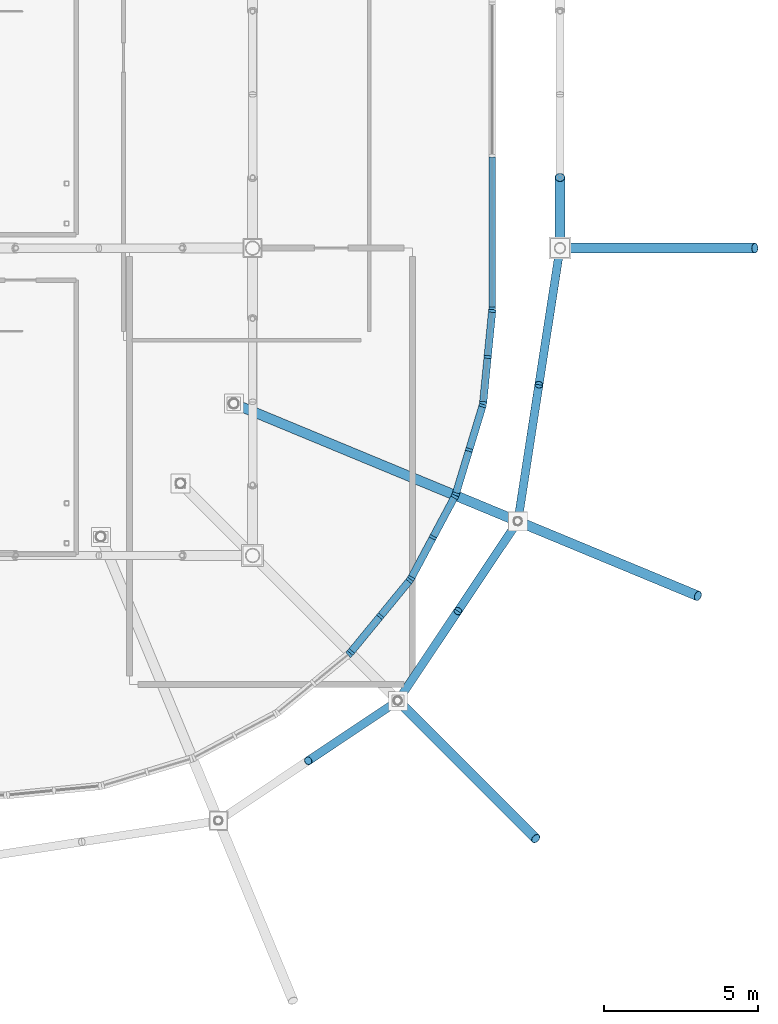
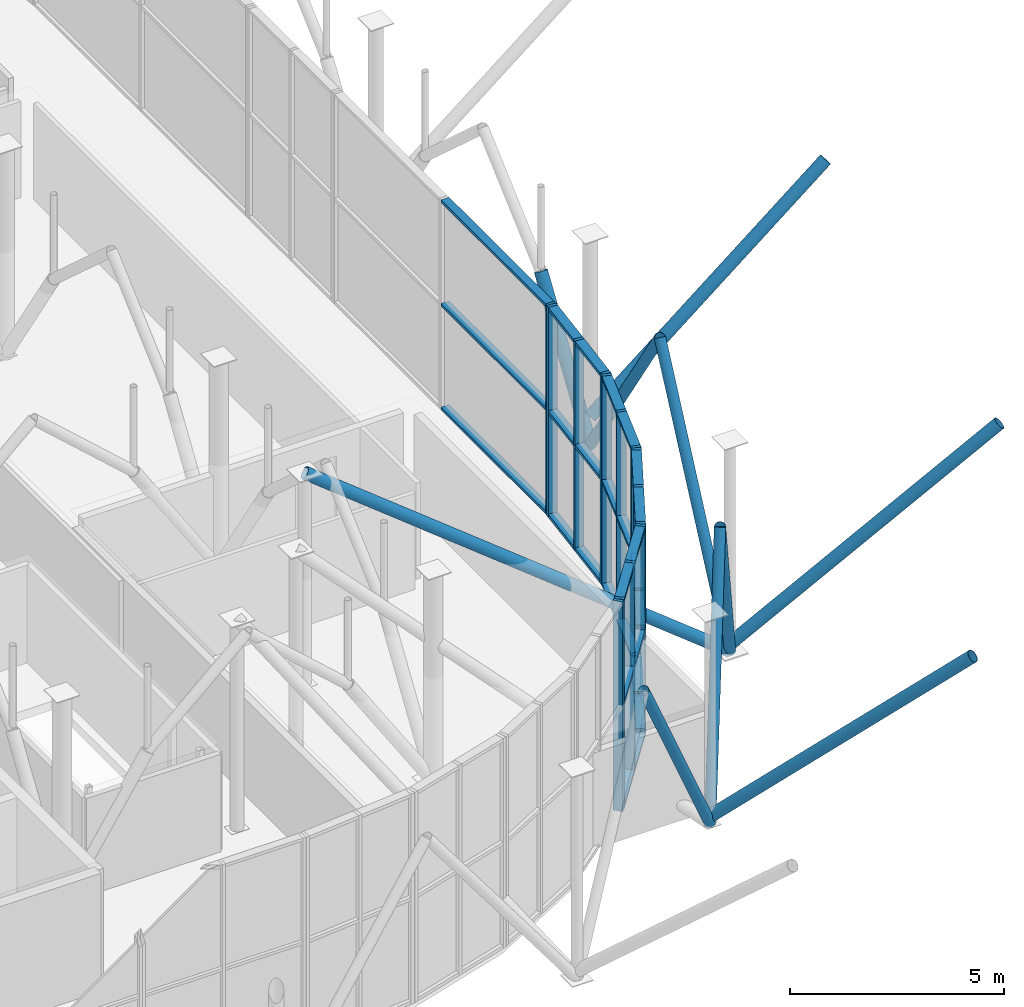
# One storey, part 69 of 109: 51 members, 6 elements without a shape of their own.
"""IFC4 building model written with IfcOpenShell, lengths in metres."""

import ifcopenshell
import ifcopenshell.guid

model = None  # the IFC model being written
_history = None  # IfcOwnerHistory: only IFC2X3 demands one
_inside = {}  # id of a spatial element -> (the spatial element, [elements in it])
_under = {}  # id of a project, library or spatial element -> (it, [spatial elements below it])
_declared = {}  # id of a project -> (the project, [libraries it declares])
_typed = {}  # id of a type object -> (the type object, [elements of that type])
_made_of = {}  # id of a material, layer set ... -> (it, [elements and type objects made of it])


def new_model(schema):
    """Start an empty IFC model of exactly this schema.

    Asked for "IFC4X3", IfcOpenShell would pick the latest addendum, in which some entities
    have other attributes; the version numbers below select the first issue.
    IFC2X3 requires an IfcOwnerHistory on every rooted entity: one is made here for all.
    """
    global model, _history
    if schema == "IFC4X3":
        model = ifcopenshell.file(schema_version=(4, 3, 0, 0))
    else:
        model = ifcopenshell.file(schema=schema)
    _inside.clear()
    _under.clear()
    _declared.clear()
    _typed.clear()
    _made_of.clear()
    _history = None
    if model.schema == "IFC2X3":
        org = make("IfcOrganization", Name="unknown")
        user = make(
            "IfcPersonAndOrganization",
            ThePerson=make("IfcPerson", FamilyName="unknown"),
            TheOrganization=org,
        )
        app = make(
            "IfcApplication",
            ApplicationDeveloper=org,
            Version="unknown",
            ApplicationFullName="unknown",
            ApplicationIdentifier="unknown",
        )
        _history = make(
            "IfcOwnerHistory",
            OwningUser=user,
            OwningApplication=app,
            ChangeAction="ADDED",
            CreationDate=0,
        )
    return model


def make(cls, **values):
    """One entity of the class cls with the attributes given. An attribute that is None is left unset."""
    return model.create_entity(
        cls, **{name: value for name, value in values.items() if value is not None}
    )


def rooted(cls, **values):
    """An entity with a GlobalId (a new one), such as an element, a storey or a relation."""
    return make(cls, GlobalId=ifcopenshell.guid.new(), OwnerHistory=_history, **values)


def si_unit(unit_type, name, prefix=None):
    """IfcSIUnit, for example si_unit("LENGTHUNIT", "METRE", prefix="MILLI")."""
    return make("IfcSIUnit", UnitType=unit_type, Prefix=prefix, Name=name)


def derived_unit(unit_type, elements):
    """IfcDerivedUnit: a product of units, each with its exponent."""
    return make(
        "IfcDerivedUnit",
        Elements=[
            make("IfcDerivedUnitElement", Unit=unit, Exponent=power)
            for unit, power in elements
        ],
        UnitType=unit_type,
    )


def assignment(units):
    """IfcUnitAssignment: the units of a project."""
    return None if units is None else make("IfcUnitAssignment", Units=units)


def point(xyz):
    """IfcCartesianPoint."""
    return None if xyz is None else make("IfcCartesianPoint", Coordinates=xyz)


def direction(xyz):
    """IfcDirection."""
    return None if xyz is None else make("IfcDirection", DirectionRatios=xyz)


def frame(location, z_axis=None, x_axis=None):
    """IfcAxis2Placement3D, a coordinate frame: its origin and axes. An axis left out is left unset."""
    return make(
        "IfcAxis2Placement3D",
        Location=point(location),
        Axis=direction(z_axis),
        RefDirection=direction(x_axis),
    )


def frame_2d(location, x_axis=None):
    """IfcAxis2Placement2D, a coordinate frame in the plane: its origin and x axis."""
    return make(
        "IfcAxis2Placement2D", Location=point(location), RefDirection=direction(x_axis)
    )


def origin():
    """The frame at (0, 0, 0) with its axes left unset."""
    return frame((0.0, 0.0, 0.0))


def origin_2d_with_axis():
    """The frame at (0, 0) in the plane with the x axis (1, 0) written out."""
    return frame_2d((0.0, 0.0), x_axis=(1.0, 0.0))


def place(relative_to, where):
    """IfcLocalPlacement: puts the frame where relative to a parent placement (None: the world)."""
    return make(
        "IfcLocalPlacement", PlacementRelTo=relative_to, RelativePlacement=where
    )


def context(
    kind, dimensions, precision=None, world=None, true_north=None, identifier=None
):
    """IfcGeometricRepresentationContext, for example the 3D "Model" context."""
    return make(
        "IfcGeometricRepresentationContext",
        ContextIdentifier=identifier,
        ContextType=kind,
        CoordinateSpaceDimension=dimensions,
        Precision=precision,
        WorldCoordinateSystem=world,
        TrueNorth=true_north,
    )


def subcontext(parent, identifier, kind, view, scale=None):
    """IfcGeometricRepresentationSubContext, for example "Body" below "Model"."""
    return make(
        "IfcGeometricRepresentationSubContext",
        ContextIdentifier=identifier,
        ContextType=kind,
        ParentContext=parent,
        TargetScale=scale,
        TargetView=view,
    )


def project(units=None, contexts=None):
    """IfcProject with its units and contexts."""
    return rooted(
        "IfcProject",
        Name="project",
        RepresentationContexts=contexts,
        UnitsInContext=assignment(units),
    )


def spatial(cls, under=None, at=None, **own):
    """A site, building, storey or space (cls), placed at a placement, below another one or the project."""
    s = rooted(cls, ObjectPlacement=at, **own)
    if under is not None:
        _under.setdefault(under.id(), (under, []))[1].append(s)
    return s


def profile(cls, at=None, kind="AREA", **sizes):
    """A parametric profile (cls). Its sizes go by their IFC names, for example OverallWidth=200.0."""
    return make(cls, ProfileType=kind, Position=at, **sizes)


def rectangle(**sizes):
    """IfcRectangleProfileDef."""
    return profile("IfcRectangleProfileDef", **sizes)


def hollow_circle(**sizes):
    """IfcCircleHollowProfileDef."""
    return profile("IfcCircleHollowProfileDef", **sizes)


def extrude(swept, where, along, depth):
    """IfcExtrudedAreaSolid: the profile swept, set in the frame where, extruded along a direction by depth."""
    return make(
        "IfcExtrudedAreaSolid",
        SweptArea=swept,
        Position=where,
        ExtrudedDirection=direction(along),
        Depth=depth,
    )


def shape(context_of_items, identifier, shape_type, items):
    """IfcShapeRepresentation: the items that make up one representation, for example the "Body"."""
    return make(
        "IfcShapeRepresentation",
        ContextOfItems=context_of_items,
        RepresentationIdentifier=identifier,
        RepresentationType=shape_type,
        Items=items,
    )


def material(Name=None, Category=None):
    """IfcMaterial."""
    return make("IfcMaterial", Name=Name, Category=Category)


def material_profile(
    of_material, cross_section, Name=None, Category=None, Priority=None
):
    """IfcMaterialProfile: a cross section and its material."""
    return make(
        "IfcMaterialProfile",
        Name=Name,
        Material=of_material,
        Profile=cross_section,
        Priority=Priority,
        Category=Category,
    )


def profile_set(profiles, Name=None, composite=None):
    """IfcMaterialProfileSet."""
    return make(
        "IfcMaterialProfileSet",
        Name=Name,
        MaterialProfiles=profiles,
        CompositeProfile=composite,
    )


def made_of(thing, what):
    """Note that an element or type object is made of a material, layer set ...; save() writes the relation."""
    if what is not None:
        _made_of.setdefault(what.id(), (what, []))[1].append(thing)
    return thing


def type_object(cls, material=None, **own):
    """A type object (cls), such as IfcWallType, which elements share."""
    return made_of(rooted(cls, **own), material)


def element(
    cls,
    number,
    at=None,
    inside=None,
    cuts=None,
    type_object=None,
    material=None,
    context=None,
    identifier="Body",
    shape_type=None,
    held_by="IfcProductDefinitionShape",
    body=None,
    shapes=None,
    **own,
):
    """One element of the class cls, such as IfcWall. Its Tag is "e" and its number.

    at: its placement. inside: the storey or other place that contains it. cuts: it is an
    opening in that element (IfcRelVoidsElement). A single representation is given by context,
    identifier, shape_type and body (its items); several are given by shapes. held_by: the class
    of the entity that holds the representations. save() writes the other relations.
    """
    e = rooted(cls, Tag="e%d" % number, ObjectPlacement=at, **own)
    if body is not None:
        shapes = [shape(context, identifier, shape_type, body)]
    if shapes is not None:
        e.Representation = make(held_by, Representations=shapes)
    if inside is not None:
        _inside.setdefault(inside.id(), (inside, []))[1].append(e)
    if cuts is not None:
        rooted(
            "IfcRelVoidsElement", RelatingBuildingElement=cuts, RelatedOpeningElement=e
        )
    if type_object is not None:
        _typed.setdefault(type_object.id(), (type_object, []))[1].append(e)
    return made_of(e, material)


def aggregate(whole, parts):
    """IfcRelAggregates: a whole, such as a stair, and the parts it consists of."""
    return rooted("IfcRelAggregates", RelatingObject=whole, RelatedObjects=parts)


def save(model, path):
    """Write the relations noted so far, then the file.

    IfcRelAggregates (storeys below a building ...), IfcRelContainedInSpatialStructure (elements
    in a storey), IfcRelDefinesByType, IfcRelAssociatesMaterial and IfcRelDeclares: one each for
    every whole, place, type object, material and project.
    """
    for whole, parts in _under.values():
        aggregate(whole, parts)
    for where, things in _inside.values():
        rooted(
            "IfcRelContainedInSpatialStructure",
            RelatedElements=things,
            RelatingStructure=where,
        )
    for kind, things in _typed.values():
        rooted("IfcRelDefinesByType", RelatedObjects=things, RelatingType=kind)
    for what, things in _made_of.values():
        rooted("IfcRelAssociatesMaterial", RelatedObjects=things, RelatingMaterial=what)
    for by, libraries in _declared.values():
        rooted("IfcRelDeclares", RelatingContext=by, RelatedDefinitions=libraries)
    model.write(path)


model = new_model("IFC4")

# Units and contexts
model_context = context("Model", 3, precision=1e-05, world=origin(), true_north=direction((0.0, 1.0)))
body_context = subcontext(model_context, "Body", "Model", "MODEL_VIEW")
ifc_project = project(units=[si_unit("LENGTHUNIT", "METRE"), si_unit("AREAUNIT", "SQUARE_METRE"), si_unit("VOLUMEUNIT", "CUBIC_METRE"), si_unit("PLANEANGLEUNIT", "RADIAN"), si_unit("MASSUNIT", "GRAM", prefix="KILO"), derived_unit("THERMALTRANSMITTANCEUNIT", [(si_unit("POWERUNIT", "WATT"), 1), (si_unit("LENGTHUNIT", "METRE"), -2), (si_unit("THERMODYNAMICTEMPERATUREUNIT", "KELVIN"), -1)])], contexts=[model_context])

# Site, building, storey
site_placement = place(None, origin())
site = spatial("IfcSite", under=ifc_project, at=site_placement, CompositionType="ELEMENT")
building_placement = place(site_placement, origin())
building = spatial("IfcBuilding", under=site, at=building_placement, Name="Cinnabar Yard Market Hall", CompositionType="ELEMENT")
storey_placement = place(building_placement, frame((0.0, 0.0, 8.39990234375)))
storey = spatial("IfcBuildingStorey", under=building, at=storey_placement, Name="L02", CompositionType="ELEMENT", Elevation=8.39990234375)

# Curtain wall, member
ifc_material_1 = material(Name="Anodised bronze aluminium curved-chord facade", Category="aluminium")
curtain_wall_type_1 = type_object("IfcCurtainWallType", Name="CW-CWC031x60", PredefinedType="NOTDEFINED", material=ifc_material_1)
curtain_wall_1_placement = place(storey_placement, origin())
curtain_wall_1 = element("IfcCurtainWall", 1, at=curtain_wall_1_placement, inside=storey, type_object=curtain_wall_type_1, Name="Corner SE Chord 4 L02", PredefinedType="NOTDEFINED")
ifc_material_2 = material(Name="Anodised bronze aluminium", Category="aluminium")
ifc_material_profile_1 = material_profile(ifc_material_2, rectangle(XDim=0.239990234375, YDim=0.090087890625, at=origin_2d_with_axis()), Name="MUL-CWC")
ifc_profile_set_1 = profile_set([ifc_material_profile_1], Name="Anodised bronze aluminium")
member_type_1 = type_object("IfcMemberType", Name="CWM-CWC", PredefinedType="MULLION", material=ifc_profile_set_1)
member_1_placement = place(storey_placement, frame((159.137451171875, 20.799072265625, 0.0), z_axis=(0.0, 0.0, 1.0), x_axis=(-0.634383400924, 0.773018564222, 0.0)))
member_1 = element("IfcMember", 2, at=member_1_placement, type_object=member_type_1, Name="CWC031x60 mullion 3", PredefinedType="MULLION", context=body_context, shape_type="SweptSolid", body=[
    extrude(rectangle(XDim=0.239990234375, YDim=0.090087890625, at=origin_2d_with_axis()), origin(), (0.0, 0.0, 1.0), 5.97998046875),
])
aggregate(curtain_wall_1, [member_1])

# Curtain wall, members
curtain_wall_2_placement = place(storey_placement, origin())
curtain_wall_2 = element("IfcCurtainWall", 3, at=curtain_wall_2_placement, inside=storey, type_object=curtain_wall_type_1, Name="Corner SE Chord 5 L02", PredefinedType="NOTDEFINED")
member_2_placement = place(storey_placement, frame((159.200927734375, 20.862548828125, 0.0), z_axis=(0.0, 0.0, 1.0), x_axis=(-0.773018564222, 0.634383400924, 0.0)))
member_2 = element("IfcMember", 4, at=member_2_placement, type_object=member_type_1, Name="CWC031x60 mullion 1", PredefinedType="MULLION", context=body_context, shape_type="SweptSolid", body=[
    extrude(rectangle(XDim=0.239990234375, YDim=0.090087890625, at=origin_2d_with_axis()), origin(), (0.0, 0.0, 1.0), 5.97998046875),
])
member_3_placement = place(storey_placement, frame((160.15478515625, 22.02490234375, 0.0), z_axis=(0.0, 0.0, 1.0), x_axis=(-0.773018564222, 0.634383400924, 0.0)))
member_3 = element("IfcMember", 5, at=member_3_placement, type_object=member_type_1, Name="CWC031x60 mullion 2", PredefinedType="MULLION", context=body_context, shape_type="SweptSolid", body=[
    extrude(rectangle(XDim=0.239990234375, YDim=0.090087890625, at=origin_2d_with_axis()), origin(), (0.0, 0.0, 1.0), 5.97998046875),
])
member_4_placement = place(storey_placement, frame((161.108642578125, 23.187255859375, 0.0), z_axis=(0.0, 0.0, 1.0), x_axis=(-0.773018564222, 0.634383400924, 0.0)))
member_4 = element("IfcMember", 6, at=member_4_placement, type_object=member_type_1, Name="CWC031x60 mullion 3", PredefinedType="MULLION", context=body_context, shape_type="SweptSolid", body=[
    extrude(rectangle(XDim=0.239990234375, YDim=0.090087890625, at=origin_2d_with_axis()), origin(), (0.0, 0.0, 1.0), 5.97998046875),
])

curtain_wall_3_placement = place(storey_placement, origin())
curtain_wall_3 = element("IfcCurtainWall", 7, at=curtain_wall_3_placement, inside=storey, type_object=curtain_wall_type_1, Name="Corner SE Chord 6 L02", PredefinedType="NOTDEFINED")
member_5_placement = place(storey_placement, frame((161.158447265625, 23.26171875, 0.0), z_axis=(0.0, 0.0, 1.0), x_axis=(-0.881917320707, 0.471404114786, 0.0)))
member_5 = element("IfcMember", 8, at=member_5_placement, type_object=member_type_1, Name="CWC031x60 mullion 1", PredefinedType="MULLION", context=body_context, shape_type="SweptSolid", body=[
    extrude(rectangle(XDim=0.239990234375, YDim=0.090087890625, at=origin_2d_with_axis()), origin(), (0.0, 0.0, 1.0), 5.97998046875),
])
member_6_placement = place(storey_placement, frame((161.8671875, 24.587890625, 0.0), z_axis=(0.0, 0.0, 1.0), x_axis=(-0.881917320707, 0.471404114786, 0.0)))
member_6 = element("IfcMember", 9, at=member_6_placement, type_object=member_type_1, Name="CWC031x60 mullion 2", PredefinedType="MULLION", context=body_context, shape_type="SweptSolid", body=[
    extrude(rectangle(XDim=0.239990234375, YDim=0.090087890625, at=origin_2d_with_axis()), origin(), (0.0, 0.0, 1.0), 5.97998046875),
])
member_7_placement = place(storey_placement, frame((162.576171875, 25.913818359375, 0.0), z_axis=(0.0, 0.0, 1.0), x_axis=(-0.881917320707, 0.471404114786, 0.0)))
member_7 = element("IfcMember", 10, at=member_7_placement, type_object=member_type_1, Name="CWC031x60 mullion 3", PredefinedType="MULLION", context=body_context, shape_type="SweptSolid", body=[
    extrude(rectangle(XDim=0.239990234375, YDim=0.090087890625, at=origin_2d_with_axis()), origin(), (0.0, 0.0, 1.0), 5.97998046875),
])

curtain_wall_4_placement = place(storey_placement, origin())
curtain_wall_4 = element("IfcCurtainWall", 11, at=curtain_wall_4_placement, inside=storey, type_object=curtain_wall_type_1, Name="Corner SE Chord 7 L02", PredefinedType="NOTDEFINED")
member_8_placement = place(storey_placement, frame((162.6103515625, 25.99658203125, 0.0), z_axis=(0.0, 0.0, 1.0), x_axis=(-0.956942090856, 0.290278891325, 0.0)))
member_8 = element("IfcMember", 12, at=member_8_placement, type_object=member_type_1, Name="CWC031x60 mullion 1", PredefinedType="MULLION", context=body_context, shape_type="SweptSolid", body=[
    extrude(rectangle(XDim=0.239990234375, YDim=0.090087890625, at=origin_2d_with_axis()), origin(), (0.0, 0.0, 1.0), 5.97998046875),
])
member_9_placement = place(storey_placement, frame((163.046875, 27.435546875, 0.0), z_axis=(0.0, 0.0, 1.0), x_axis=(-0.956942090856, 0.290278891325, 0.0)))
member_9 = element("IfcMember", 13, at=member_9_placement, type_object=member_type_1, Name="CWC031x60 mullion 2", PredefinedType="MULLION", context=body_context, shape_type="SweptSolid", body=[
    extrude(rectangle(XDim=0.239990234375, YDim=0.090087890625, at=origin_2d_with_axis()), origin(), (0.0, 0.0, 1.0), 5.97998046875),
])
member_10_placement = place(storey_placement, frame((163.4833984375, 28.87451171875, 0.0), z_axis=(0.0, 0.0, 1.0), x_axis=(-0.956942090856, 0.290278891325, 0.0)))
member_10 = element("IfcMember", 14, at=member_10_placement, type_object=member_type_1, Name="CWC031x60 mullion 3", PredefinedType="MULLION", context=body_context, shape_type="SweptSolid", body=[
    extrude(rectangle(XDim=0.239990234375, YDim=0.090087890625, at=origin_2d_with_axis()), origin(), (0.0, 0.0, 1.0), 5.97998046875),
])

curtain_wall_5_placement = place(storey_placement, origin())
curtain_wall_5 = element("IfcCurtainWall", 15, at=curtain_wall_5_placement, inside=storey, type_object=curtain_wall_type_1, Name="Corner SE Chord 8 L02", PredefinedType="NOTDEFINED")
member_11_placement = place(storey_placement, frame((163.500732421875, 28.96240234375, 0.0), z_axis=(0.0, 0.0, 1.0), x_axis=(-0.995184408637, 0.098020369342, 0.0)))
member_11 = element("IfcMember", 16, at=member_11_placement, type_object=member_type_1, Name="CWC031x60 mullion 1", PredefinedType="MULLION", context=body_context, shape_type="SweptSolid", body=[
    extrude(rectangle(XDim=0.239990234375, YDim=0.090087890625, at=origin_2d_with_axis()), origin(), (0.0, 0.0, 1.0), 5.97998046875),
])
member_12_placement = place(storey_placement, frame((163.648193359375, 30.458740234375, 0.0), z_axis=(0.0, 0.0, 1.0), x_axis=(-0.995184408637, 0.098020369342, 0.0)))
member_12 = element("IfcMember", 17, at=member_12_placement, type_object=member_type_1, Name="CWC031x60 mullion 2", PredefinedType="MULLION", context=body_context, shape_type="SweptSolid", body=[
    extrude(rectangle(XDim=0.239990234375, YDim=0.090087890625, at=origin_2d_with_axis()), origin(), (0.0, 0.0, 1.0), 5.97998046875),
])
member_13_placement = place(storey_placement, frame((163.795654296875, 31.955322265625, 0.0), z_axis=(0.0, 0.0, 1.0), x_axis=(-0.995184408637, 0.098020369342, 0.0)))
member_13 = element("IfcMember", 18, at=member_13_placement, type_object=member_type_1, Name="CWC031x60 mullion 3", PredefinedType="MULLION", context=body_context, shape_type="SweptSolid", body=[
    extrude(rectangle(XDim=0.239990234375, YDim=0.090087890625, at=origin_2d_with_axis()), origin(), (0.0, 0.0, 1.0), 5.97998046875),
])

# Curtain wall, member
ifc_material_3 = material(Name="Anodised bronze aluminium and low-E glass", Category="aluminium")
curtain_wall_type_2 = type_object("IfcCurtainWallType", Name="CW-CWH100x60", PredefinedType="NOTDEFINED", material=ifc_material_3)
curtain_wall_6_placement = place(storey_placement, origin())
curtain_wall_6 = element("IfcCurtainWall", 19, at=curtain_wall_6_placement, inside=storey, type_object=curtain_wall_type_2, Name="Market Hall East Upper Clerestory W1", PredefinedType="NOTDEFINED")
ifc_material_profile_2 = material_profile(ifc_material_2, rectangle(XDim=0.219970703125, YDim=0.080078125, at=origin_2d_with_axis()), Name="MUL-CWH")
ifc_profile_set_2 = profile_set([ifc_material_profile_2], Name="Anodised bronze aluminium")
member_type_2 = type_object("IfcMemberType", Name="CWM-CWH", PredefinedType="MULLION", material=ifc_profile_set_2)
member_14_placement = place(storey_placement, frame((163.800048828125, 32.0400390625, 0.0), z_axis=(0.0, 0.0, 1.0), x_axis=(-1.0, 0.0, 0.0)))
member_14 = element("IfcMember", 20, at=member_14_placement, type_object=member_type_2, Name="CWH100x60 mullion 1", PredefinedType="MULLION", context=body_context, shape_type="SweptSolid", body=[
    extrude(rectangle(XDim=0.219970703125, YDim=0.080078125, at=origin_2d_with_axis()), origin(), (0.0, 0.0, 1.0), 5.97998046875),
])

# Member
ifc_material_profile_3 = material_profile(ifc_material_2, rectangle(XDim=0.239990234375, YDim=0.090087890625, at=origin_2d_with_axis()), Name="TRN-CWC")
ifc_profile_set_3 = profile_set([ifc_material_profile_3], Name="Anodised bronze aluminium")
member_type_3 = type_object("IfcMemberType", Name="CWT-CWC", PredefinedType="USERDEFINED", material=ifc_profile_set_3)
member_15_placement = place(storey_placement, frame((159.2294921875, 20.897216796875, 0.045166015625), z_axis=(0.634356309919, 0.773040795861, 0.0), x_axis=(-0.773040795861, 0.634356309919, 0.0)))
member_15 = element("IfcMember", 21, at=member_15_placement, type_object=member_type_3, Name="CWC031x60 transom 1.1", ObjectType="TRANSOM", PredefinedType="USERDEFINED", context=body_context, shape_type="SweptSolid", body=[
    extrude(rectangle(XDim=0.239990234375, YDim=0.090087890625, at=origin_2d_with_axis()), origin(), (0.0, 0.0, 1.0), 1.41357421875),
])

member_16_placement = place(storey_placement, frame((159.2294921875, 20.897216796875, 2.989990234375), z_axis=(0.634356309919, 0.773040795861, 0.0), x_axis=(-0.773040795861, 0.634356309919, 0.0)))
member_16 = element("IfcMember", 22, at=member_16_placement, type_object=member_type_3, Name="CWC031x60 transom 1.2", ObjectType="TRANSOM", PredefinedType="USERDEFINED", context=body_context, shape_type="SweptSolid", body=[
    extrude(rectangle(XDim=0.239990234375, YDim=0.090087890625, at=origin_2d_with_axis()), origin(), (0.0, 0.0, 1.0), 1.41357421875),
])

member_17_placement = place(storey_placement, frame((159.2294921875, 20.897216796875, 5.93505859375), z_axis=(0.634356309919, 0.773040795861, 0.0), x_axis=(-0.773040795861, 0.634356309919, 0.0)))
member_17 = element("IfcMember", 23, at=member_17_placement, type_object=member_type_3, Name="CWC031x60 transom 1.3", ObjectType="TRANSOM", PredefinedType="USERDEFINED", context=body_context, shape_type="SweptSolid", body=[
    extrude(rectangle(XDim=0.239990234375, YDim=0.090087890625, at=origin_2d_with_axis()), origin(), (0.0, 0.0, 1.0), 1.41357421875),
])

member_18_placement = place(storey_placement, frame((160.183349609375, 22.0595703125, 0.045166015625), z_axis=(0.634356309919, 0.773040795861, 0.0), x_axis=(-0.773040795861, 0.634356309919, 0.0)))
member_18 = element("IfcMember", 24, at=member_18_placement, type_object=member_type_3, Name="CWC031x60 transom 2.1", ObjectType="TRANSOM", PredefinedType="USERDEFINED", context=body_context, shape_type="SweptSolid", body=[
    extrude(rectangle(XDim=0.239990234375, YDim=0.090087890625, at=origin_2d_with_axis()), origin(), (0.0, 0.0, 1.0), 1.41357421875),
])

member_19_placement = place(storey_placement, frame((160.183349609375, 22.0595703125, 2.989990234375), z_axis=(0.634356309919, 0.773040795861, 0.0), x_axis=(-0.773040795861, 0.634356309919, 0.0)))
member_19 = element("IfcMember", 25, at=member_19_placement, type_object=member_type_3, Name="CWC031x60 transom 2.2", ObjectType="TRANSOM", PredefinedType="USERDEFINED", context=body_context, shape_type="SweptSolid", body=[
    extrude(rectangle(XDim=0.239990234375, YDim=0.090087890625, at=origin_2d_with_axis()), origin(), (0.0, 0.0, 1.0), 1.41357421875),
])

member_20_placement = place(storey_placement, frame((160.183349609375, 22.0595703125, 5.93505859375), z_axis=(0.634356309919, 0.773040795861, 0.0), x_axis=(-0.773040795861, 0.634356309919, 0.0)))
member_20 = element("IfcMember", 26, at=member_20_placement, type_object=member_type_3, Name="CWC031x60 transom 2.3", ObjectType="TRANSOM", PredefinedType="USERDEFINED", context=body_context, shape_type="SweptSolid", body=[
    extrude(rectangle(XDim=0.239990234375, YDim=0.090087890625, at=origin_2d_with_axis()), origin(), (0.0, 0.0, 1.0), 1.41357421875),
])

aggregate(curtain_wall_2, [member_2, member_3, member_4, member_15, member_16, member_17, member_18, member_19, member_20])

member_21_placement = place(storey_placement, frame((161.1796875, 23.30126953125, 0.045166015625), z_axis=(0.471296210365, 0.881974989496, 0.0), x_axis=(-0.881974989496, 0.471296210365, 0.0)))
member_21 = element("IfcMember", 27, at=member_21_placement, type_object=member_type_3, Name="CWC031x60 transom 1.1", ObjectType="TRANSOM", PredefinedType="USERDEFINED", context=body_context, shape_type="SweptSolid", body=[
    extrude(rectangle(XDim=0.239990234375, YDim=0.090087890625, at=origin_2d_with_axis()), origin(), (0.0, 0.0, 1.0), 1.41357421875),
])

member_22_placement = place(storey_placement, frame((161.1796875, 23.30126953125, 2.989990234375), z_axis=(0.471296210365, 0.881974989496, 0.0), x_axis=(-0.881974989496, 0.471296210365, 0.0)))
member_22 = element("IfcMember", 28, at=member_22_placement, type_object=member_type_3, Name="CWC031x60 transom 1.2", ObjectType="TRANSOM", PredefinedType="USERDEFINED", context=body_context, shape_type="SweptSolid", body=[
    extrude(rectangle(XDim=0.239990234375, YDim=0.090087890625, at=origin_2d_with_axis()), origin(), (0.0, 0.0, 1.0), 1.41357421875),
])

member_23_placement = place(storey_placement, frame((161.1796875, 23.30126953125, 5.93505859375), z_axis=(0.471296210365, 0.881974989496, 0.0), x_axis=(-0.881974989496, 0.471296210365, 0.0)))
member_23 = element("IfcMember", 29, at=member_23_placement, type_object=member_type_3, Name="CWC031x60 transom 1.3", ObjectType="TRANSOM", PredefinedType="USERDEFINED", context=body_context, shape_type="SweptSolid", body=[
    extrude(rectangle(XDim=0.239990234375, YDim=0.090087890625, at=origin_2d_with_axis()), origin(), (0.0, 0.0, 1.0), 1.41357421875),
])

member_24_placement = place(storey_placement, frame((161.888427734375, 24.62744140625, 0.045166015625), z_axis=(0.471430533224, 0.881903198965, 0.0), x_axis=(-0.881903198965, 0.471430533224, 0.0)))
member_24 = element("IfcMember", 30, at=member_24_placement, type_object=member_type_3, Name="CWC031x60 transom 2.1", ObjectType="TRANSOM", PredefinedType="USERDEFINED", context=body_context, shape_type="SweptSolid", body=[
    extrude(rectangle(XDim=0.239990234375, YDim=0.090087890625, at=origin_2d_with_axis()), origin(), (0.0, 0.0, 1.0), 1.413818359375),
])

member_25_placement = place(storey_placement, frame((161.888427734375, 24.62744140625, 2.989990234375), z_axis=(0.471430533224, 0.881903198965, 0.0), x_axis=(-0.881903198965, 0.471430533224, 0.0)))
member_25 = element("IfcMember", 31, at=member_25_placement, type_object=member_type_3, Name="CWC031x60 transom 2.2", ObjectType="TRANSOM", PredefinedType="USERDEFINED", context=body_context, shape_type="SweptSolid", body=[
    extrude(rectangle(XDim=0.239990234375, YDim=0.090087890625, at=origin_2d_with_axis()), origin(), (0.0, 0.0, 1.0), 1.413818359375),
])

member_26_placement = place(storey_placement, frame((161.888427734375, 24.62744140625, 5.93505859375), z_axis=(0.471430533224, 0.881903198965, 0.0), x_axis=(-0.881903198965, 0.471430533224, 0.0)))
member_26 = element("IfcMember", 32, at=member_26_placement, type_object=member_type_3, Name="CWC031x60 transom 2.3", ObjectType="TRANSOM", PredefinedType="USERDEFINED", context=body_context, shape_type="SweptSolid", body=[
    extrude(rectangle(XDim=0.239990234375, YDim=0.090087890625, at=origin_2d_with_axis()), origin(), (0.0, 0.0, 1.0), 1.413818359375),
])

aggregate(curtain_wall_3, [member_5, member_6, member_7, member_21, member_22, member_23, member_24, member_25, member_26])

member_27_placement = place(storey_placement, frame((162.62353515625, 26.039794921875, 0.045166015625), z_axis=(0.290151195166, 0.956980816915, 0.0), x_axis=(-0.956980816915, 0.290151195166, 0.0)))
member_27 = element("IfcMember", 33, at=member_27_placement, type_object=member_type_3, Name="CWC031x60 transom 1.1", ObjectType="TRANSOM", PredefinedType="USERDEFINED", context=body_context, shape_type="SweptSolid", body=[
    extrude(rectangle(XDim=0.239990234375, YDim=0.090087890625, at=origin_2d_with_axis()), origin(), (0.0, 0.0, 1.0), 1.41357421875),
])

member_28_placement = place(storey_placement, frame((162.62353515625, 26.039794921875, 2.989990234375), z_axis=(0.290151195166, 0.956980816915, 0.0), x_axis=(-0.956980816915, 0.290151195166, 0.0)))
member_28 = element("IfcMember", 34, at=member_28_placement, type_object=member_type_3, Name="CWC031x60 transom 1.2", ObjectType="TRANSOM", PredefinedType="USERDEFINED", context=body_context, shape_type="SweptSolid", body=[
    extrude(rectangle(XDim=0.239990234375, YDim=0.090087890625, at=origin_2d_with_axis()), origin(), (0.0, 0.0, 1.0), 1.41357421875),
])

member_29_placement = place(storey_placement, frame((162.62353515625, 26.039794921875, 5.93505859375), z_axis=(0.290151195166, 0.956980816915, 0.0), x_axis=(-0.956980816915, 0.290151195166, 0.0)))
member_29 = element("IfcMember", 35, at=member_29_placement, type_object=member_type_3, Name="CWC031x60 transom 1.3", ObjectType="TRANSOM", PredefinedType="USERDEFINED", context=body_context, shape_type="SweptSolid", body=[
    extrude(rectangle(XDim=0.239990234375, YDim=0.090087890625, at=origin_2d_with_axis()), origin(), (0.0, 0.0, 1.0), 1.41357421875),
])

member_30_placement = place(storey_placement, frame((163.059814453125, 27.478759765625, 0.045166015625), z_axis=(0.290309352341, 0.956932850279, 0.0), x_axis=(-0.956932850279, 0.290309352341, 0.0)))
member_30 = element("IfcMember", 36, at=member_30_placement, type_object=member_type_3, Name="CWC031x60 transom 2.1", ObjectType="TRANSOM", PredefinedType="USERDEFINED", context=body_context, shape_type="SweptSolid", body=[
    extrude(rectangle(XDim=0.239990234375, YDim=0.090087890625, at=origin_2d_with_axis()), origin(), (0.0, 0.0, 1.0), 1.41357421875),
])

member_31_placement = place(storey_placement, frame((163.059814453125, 27.478759765625, 2.989990234375), z_axis=(0.290309352341, 0.956932850279, 0.0), x_axis=(-0.956932850279, 0.290309352341, 0.0)))
member_31 = element("IfcMember", 37, at=member_31_placement, type_object=member_type_3, Name="CWC031x60 transom 2.2", ObjectType="TRANSOM", PredefinedType="USERDEFINED", context=body_context, shape_type="SweptSolid", body=[
    extrude(rectangle(XDim=0.239990234375, YDim=0.090087890625, at=origin_2d_with_axis()), origin(), (0.0, 0.0, 1.0), 1.41357421875),
])

member_32_placement = place(storey_placement, frame((163.059814453125, 27.478759765625, 5.93505859375), z_axis=(0.290309352341, 0.956932850279, 0.0), x_axis=(-0.956932850279, 0.290309352341, 0.0)))
member_32 = element("IfcMember", 38, at=member_32_placement, type_object=member_type_3, Name="CWC031x60 transom 2.3", ObjectType="TRANSOM", PredefinedType="USERDEFINED", context=body_context, shape_type="SweptSolid", body=[
    extrude(rectangle(XDim=0.239990234375, YDim=0.090087890625, at=origin_2d_with_axis()), origin(), (0.0, 0.0, 1.0), 1.41357421875),
])

aggregate(curtain_wall_4, [member_8, member_9, member_10, member_27, member_28, member_29, member_30, member_31, member_32])

member_33_placement = place(storey_placement, frame((163.505126953125, 29.007080078125, 0.045166015625), z_axis=(0.098084531214, 0.995178086946, 0.0), x_axis=(-0.995178086946, 0.098084531214, 0.0)))
member_33 = element("IfcMember", 39, at=member_33_placement, type_object=member_type_3, Name="CWC031x60 transom 1.1", ObjectType="TRANSOM", PredefinedType="USERDEFINED", context=body_context, shape_type="SweptSolid", body=[
    extrude(rectangle(XDim=0.239990234375, YDim=0.090087890625, at=origin_2d_with_axis()), origin(), (0.0, 0.0, 1.0), 1.413818359375),
])

member_34_placement = place(storey_placement, frame((163.505126953125, 29.007080078125, 2.989990234375), z_axis=(0.098084531214, 0.995178086946, 0.0), x_axis=(-0.995178086946, 0.098084531214, 0.0)))
member_34 = element("IfcMember", 40, at=member_34_placement, type_object=member_type_3, Name="CWC031x60 transom 1.2", ObjectType="TRANSOM", PredefinedType="USERDEFINED", context=body_context, shape_type="SweptSolid", body=[
    extrude(rectangle(XDim=0.239990234375, YDim=0.090087890625, at=origin_2d_with_axis()), origin(), (0.0, 0.0, 1.0), 1.413818359375),
])

member_35_placement = place(storey_placement, frame((163.505126953125, 29.007080078125, 5.93505859375), z_axis=(0.098084531214, 0.995178086946, 0.0), x_axis=(-0.995178086946, 0.098084531214, 0.0)))
member_35 = element("IfcMember", 41, at=member_35_placement, type_object=member_type_3, Name="CWC031x60 transom 1.3", ObjectType="TRANSOM", PredefinedType="USERDEFINED", context=body_context, shape_type="SweptSolid", body=[
    extrude(rectangle(XDim=0.239990234375, YDim=0.090087890625, at=origin_2d_with_axis()), origin(), (0.0, 0.0, 1.0), 1.413818359375),
])

member_36_placement = place(storey_placement, frame((163.652587890625, 30.503662109375, 0.045166015625), z_axis=(0.098101390058, 0.995176425197, 0.0), x_axis=(-0.995176425197, 0.098101390058, 0.0)))
member_36 = element("IfcMember", 42, at=member_36_placement, type_object=member_type_3, Name="CWC031x60 transom 2.1", ObjectType="TRANSOM", PredefinedType="USERDEFINED", context=body_context, shape_type="SweptSolid", body=[
    extrude(rectangle(XDim=0.239990234375, YDim=0.090087890625, at=origin_2d_with_axis()), origin(), (0.0, 0.0, 1.0), 1.41357421875),
])

member_37_placement = place(storey_placement, frame((163.652587890625, 30.503662109375, 2.989990234375), z_axis=(0.098101390058, 0.995176425197, 0.0), x_axis=(-0.995176425197, 0.098101390058, 0.0)))
member_37 = element("IfcMember", 43, at=member_37_placement, type_object=member_type_3, Name="CWC031x60 transom 2.2", ObjectType="TRANSOM", PredefinedType="USERDEFINED", context=body_context, shape_type="SweptSolid", body=[
    extrude(rectangle(XDim=0.239990234375, YDim=0.090087890625, at=origin_2d_with_axis()), origin(), (0.0, 0.0, 1.0), 1.41357421875),
])

member_38_placement = place(storey_placement, frame((163.652587890625, 30.503662109375, 5.93505859375), z_axis=(0.098101390058, 0.995176425197, 0.0), x_axis=(-0.995176425197, 0.098101390058, 0.0)))
member_38 = element("IfcMember", 44, at=member_38_placement, type_object=member_type_3, Name="CWC031x60 transom 2.3", ObjectType="TRANSOM", PredefinedType="USERDEFINED", context=body_context, shape_type="SweptSolid", body=[
    extrude(rectangle(XDim=0.239990234375, YDim=0.090087890625, at=origin_2d_with_axis()), origin(), (0.0, 0.0, 1.0), 1.41357421875),
])

aggregate(curtain_wall_5, [member_11, member_12, member_13, member_33, member_34, member_35, member_36, member_37, member_38])

ifc_material_profile_4 = material_profile(ifc_material_2, rectangle(XDim=0.219970703125, YDim=0.080078125, at=origin_2d_with_axis()), Name="TRN-CWH")
ifc_profile_set_4 = profile_set([ifc_material_profile_4], Name="Anodised bronze aluminium")
member_type_4 = type_object("IfcMemberType", Name="CWT-CWH", PredefinedType="USERDEFINED", material=ifc_profile_set_4)
member_39_placement = place(storey_placement, frame((163.800048828125, 32.080078125, 0.0400390625), z_axis=(0.0, 1.0, 0.0), x_axis=(-1.0, 0.0, 0.0)))
member_39 = element("IfcMember", 45, at=member_39_placement, type_object=member_type_4, Name="CWH100x60 transom 1.1", ObjectType="TRANSOM", PredefinedType="USERDEFINED", context=body_context, shape_type="SweptSolid", body=[
    extrude(rectangle(XDim=0.219970703125, YDim=0.080078125, at=origin_2d_with_axis()), origin(), (0.0, 0.0, 1.0), 4.8798828125),
])

member_40_placement = place(storey_placement, frame((163.800048828125, 32.080078125, 2.989990234375), z_axis=(0.0, 1.0, 0.0), x_axis=(-1.0, 0.0, 0.0)))
member_40 = element("IfcMember", 46, at=member_40_placement, type_object=member_type_4, Name="CWH100x60 transom 1.2", ObjectType="TRANSOM", PredefinedType="USERDEFINED", context=body_context, shape_type="SweptSolid", body=[
    extrude(rectangle(XDim=0.219970703125, YDim=0.080078125, at=origin_2d_with_axis()), origin(), (0.0, 0.0, 1.0), 4.8798828125),
])

member_41_placement = place(storey_placement, frame((163.800048828125, 32.080078125, 5.940185546875), z_axis=(0.0, 1.0, 0.0), x_axis=(-1.0, 0.0, 0.0)))
member_41 = element("IfcMember", 47, at=member_41_placement, type_object=member_type_4, Name="CWH100x60 transom 1.3", ObjectType="TRANSOM", PredefinedType="USERDEFINED", context=body_context, shape_type="SweptSolid", body=[
    extrude(rectangle(XDim=0.219970703125, YDim=0.080078125, at=origin_2d_with_axis()), origin(), (0.0, 0.0, 1.0), 4.8798828125),
])

aggregate(curtain_wall_6, [member_14, member_39, member_40, member_41])

# Members
ifc_material_4 = material(Name="Spotted-gum glulam-clad steel Grade 350 (350 MPa)", Category="steel")
ifc_material_profile_5 = material_profile(ifc_material_4, hollow_circle(Radius=0.136474609375, WallThickness=0.00927734375, at=origin_2d_with_axis()), Name="273.1x9.3CHS")
ifc_profile_set_5 = profile_set([ifc_material_profile_5], Name="Spotted-gum glulam-clad steel Grade 350 (350 MPa)")
member_type_5 = type_object("IfcMemberType", Name="MB-AR01E", PredefinedType="USERDEFINED", material=ifc_profile_set_5)
for number, where, z_axis, x_axis, name in (
    (48, (160.727783203125, 19.272216796875, 0.0), (-0.421016968363, -0.281358609512, 0.862312034709), (0.555630392257, -0.831429412037, 0.0), "Corner Pointed Arch SE 2B"),
    (49, (160.727783203125, 19.272216796875, 0.0), (0.281358609512, 0.421016968363, 0.862312034709), (-0.831429412037, 0.555630392257, 0.0), "Corner Pointed Arch SE 3A"),
    (50, (164.6298828125, 25.11181640625, 0.0), (-0.281322020966, -0.42105010271, 0.862307793962), (0.831482988253, -0.555550213974, 0.0), "Corner Pointed Arch SE 3B"),
):
    element("IfcMember", number, at=place(storey_placement, frame(where, z_axis=z_axis, x_axis=x_axis)), inside=storey, type_object=member_type_5, Name=name, ObjectType="ARCH RIB", PredefinedType="USERDEFINED", context=body_context, shape_type="SweptSolid", body=[
        extrude(hollow_circle(Radius=0.136474609375, WallThickness=0.00927734375, at=origin_2d_with_axis()), origin(), (0.0, 0.0, 1.0), 6.934814453125),
    ])
for number, where, z_axis, x_axis, name in (
    (51, (164.6298828125, 25.11181640625, 0.0), (0.09156162834, 0.593975880497, 0.799255354441), (-0.988326460719, 0.152350933845, 0.0), "Corner Pointed Arch SE 4A"),
    (52, (166.0, 34.0, 0.0), (-0.09156162834, -0.593975880497, 0.799255354441), (0.988326460719, -0.152350933845, 0.0), "Corner Pointed Arch SE 4B"),
):
    element("IfcMember", number, at=place(storey_placement, frame(where, z_axis=z_axis, x_axis=x_axis)), inside=storey, type_object=member_type_5, Name=name, ObjectType="ARCH RIB", PredefinedType="USERDEFINED", context=body_context, shape_type="SweptSolid", body=[
        extrude(hollow_circle(Radius=0.136474609375, WallThickness=0.00927734375, at=origin_2d_with_axis()), origin(), (0.0, 0.0, 1.0), 7.48193359375),
    ])
ifc_material_profile_6 = material_profile(ifc_material_4, hollow_circle(Radius=0.161865234375, WallThickness=0.009521484375, at=origin_2d_with_axis()), Name="323.9x9.5CHS")
ifc_profile_set_6 = profile_set([ifc_material_profile_6], Name="Spotted-gum glulam-clad steel Grade 350 (350 MPa)")
member_type_6 = type_object("IfcMemberType", Name="MB-ST01E", PredefinedType="STRUT", material=ifc_profile_set_6)
member_42_placement = place(storey_placement, frame((166.0, 34.0, 0.0), z_axis=(0.0, 0.543744165176, 0.839251024925), x_axis=(-1.0, 0.0, 0.0)))
element("IfcMember", 53, at=member_42_placement, inside=storey, type_object=member_type_6, Name="Curved Branch Arm Lower 0170", PredefinedType="STRUT", context=body_context, shape_type="SweptSolid", body=[
    extrude(hollow_circle(Radius=0.161865234375, WallThickness=0.009521484375, at=origin_2d_with_axis()), origin(), (0.0, 0.0, 1.0), 4.22998046875),
])
member_43_placement = place(storey_placement, frame((160.727783203125, 19.272216796875, 0.2001953125), z_axis=(0.525842817771, -0.525842817771, 0.668564628138), x_axis=(0.707106781187, 0.707106781187, 0.0)))
element("IfcMember", 54, at=member_43_placement, inside=storey, type_object=member_type_6, Name="Corner Chhajja Bracket Arm SE-4", PredefinedType="STRUT", context=body_context, shape_type="SweptSolid", body=[
    extrude(hollow_circle(Radius=0.161865234375, WallThickness=0.009521484375, at=origin_2d_with_axis()), origin(), (0.0, 0.0, 1.0), 8.525634765625),
])
member_44_placement = place(storey_placement, frame((164.6298828125, 25.11181640625, 0.0), z_axis=(-0.792922692544, 0.328425302123, 0.513235252661), x_axis=(-0.382669478028, -0.923885312463, 0.0)))
element("IfcMember", 55, at=member_44_placement, inside=storey, type_object=member_type_6, Name="Corner Radial Inward Arm SE-6", PredefinedType="STRUT", context=body_context, shape_type="SweptSolid", body=[
    extrude(hollow_circle(Radius=0.161865234375, WallThickness=0.009521484375, at=origin_2d_with_axis()), origin(), (0.0, 0.0, 1.0), 11.651611328125),
])
member_45_placement = place(storey_placement, frame((164.6298828125, 25.11181640625, 0.2001953125), z_axis=(0.68704037604, -0.284586831322, 0.668570009145), x_axis=(0.382689618566, 0.923876970079, 0.0)))
element("IfcMember", 56, at=member_45_placement, inside=storey, type_object=member_type_6, Name="Corner Chhajja Bracket Arm SE-6", PredefinedType="STRUT", context=body_context, shape_type="SweptSolid", body=[
    extrude(hollow_circle(Radius=0.161865234375, WallThickness=0.009521484375, at=origin_2d_with_axis()), origin(), (0.0, 0.0, 1.0), 8.525634765625),
])
member_46_placement = place(storey_placement, frame((166.0, 34.0, 0.800048828125), z_axis=(0.779185735248, 0.0, 0.626793099824), x_axis=(0.0, 1.0, 0.0)))
element("IfcMember", 57, at=member_46_placement, inside=storey, type_object=member_type_6, Name="East Chhajja Bracket Arm 34", PredefinedType="STRUT", context=body_context, shape_type="SweptSolid", body=[
    extrude(hollow_circle(Radius=0.161865234375, WallThickness=0.009521484375, at=origin_2d_with_axis()), origin(), (0.0, 0.0, 1.0), 8.13671875),
])

save(model, "model.ifc")
